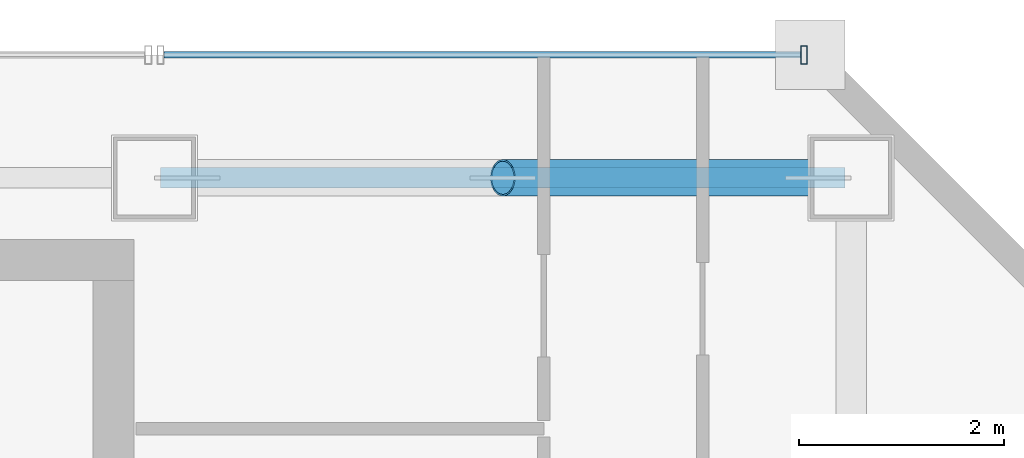
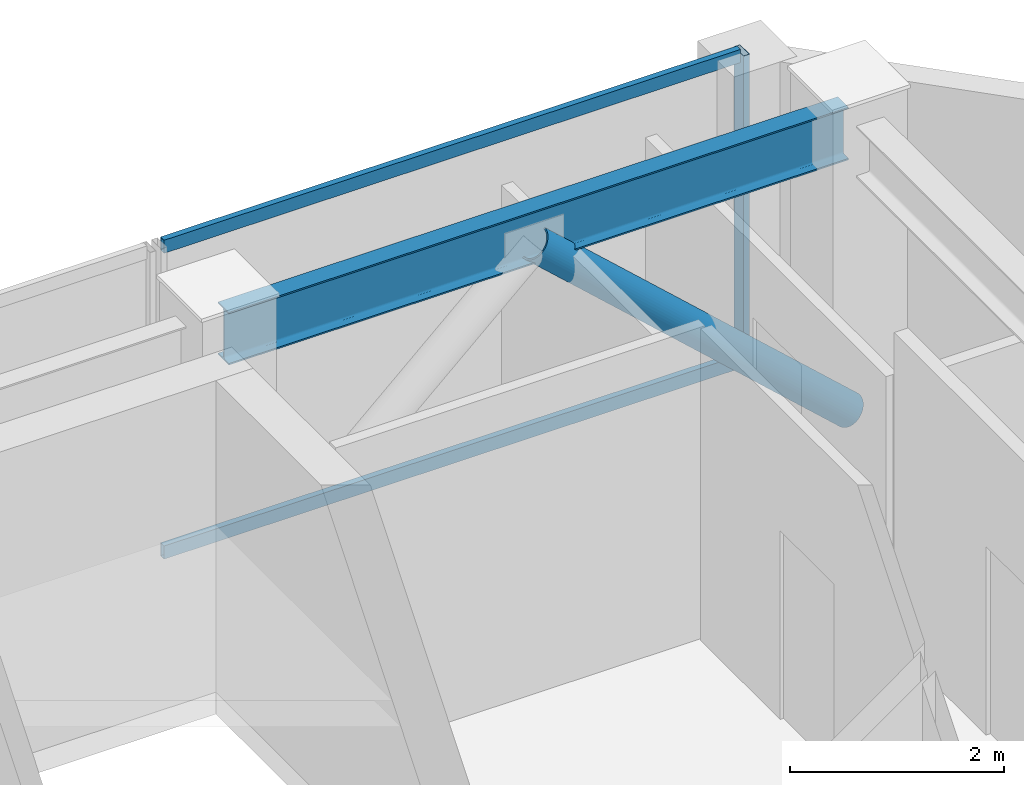
# One storey, part 24 of 32: 4 members, 1 beam, 1 element without a shape of its own.
"""IFC4 building model written with IfcOpenShell, lengths in metres."""

from ifc_helpers import new_model, si_unit, direction, frame, origin, origin_2d, place, context, subcontext, project, spatial, hollow_rectangle, hollow_circle, i_section, extrude, material, material_profile, profile_set, type_object, element, aggregate, save


model = new_model("IFC4")

# Units and contexts
model_context = context("Model", 3, precision=1e-05, world=origin(), true_north=direction((0.0, 1.0)))
body_context = subcontext(model_context, "Body", "Model", "MODEL_VIEW")
ifc_project = project(units=[si_unit("LENGTHUNIT", "METRE"), si_unit("AREAUNIT", "SQUARE_METRE"), si_unit("VOLUMEUNIT", "CUBIC_METRE"), si_unit("PLANEANGLEUNIT", "RADIAN"), si_unit("MASSUNIT", "GRAM", prefix="KILO")], contexts=[model_context])

# Site, building, storey
site_placement = place(None, origin())
site = spatial("IfcSite", under=ifc_project, at=site_placement, CompositionType="ELEMENT")
building_placement = place(site_placement, origin())
building = spatial("IfcBuilding", under=site, at=building_placement, Name="Saevonmaru Cultural Tower", CompositionType="ELEMENT")
storey_placement = place(building_placement, frame((0.0, 0.0, 257.199951171875)))
storey = spatial("IfcBuildingStorey", under=building, at=storey_placement, Name="L60", CompositionType="ELEMENT", Elevation=257.199951171875)

# Beam
ifc_material_1 = material(Name="Steel SM355", Category="steel")
ifc_material_profile_1 = material_profile(ifc_material_1, i_section(OverallWidth=0.199951171875, OverallDepth=0.60009765625, WebThickness=0.010986328125, FlangeThickness=0.01708984375, FilletRadius=0.02197265625, at=origin_2d()), Name="H-600x200x11x17")
ifc_profile_set_1 = profile_set([ifc_material_profile_1], Name="Steel SM355")
beam_type = type_object("IfcBeamType", Name="BM-SP-H600", PredefinedType="SPANDREL", material=ifc_profile_set_1)
beam_placement = place(storey_placement, frame((46.4599609375, 54.800048828125, 3.25), z_axis=(1.0, 0.0, 0.0), x_axis=(0.0, 1.0, 0.0)))
element("IfcBeam", 1, at=beam_placement, inside=storey, type_object=beam_type, Name="L60 North Spine Girder 5", PredefinedType="SPANDREL", context=body_context, shape_type="SweptSolid", body=[
    extrude(i_section(OverallWidth=0.199951171875, OverallDepth=0.60009765625, WebThickness=0.010986328125, FlangeThickness=0.01708984375, FilletRadius=0.02197265625, at=origin_2d()), origin(), (0.0, 0.0, 1.0), 6.679931640625),
])

# Member
ifc_material_profile_2 = material_profile(ifc_material_1, hollow_circle(Radius=0.177734375, WallThickness=0.01611328125, at=origin_2d()), Name="CHS-355.6x16")
ifc_profile_set_2 = profile_set([ifc_material_profile_2], Name="Steel SM355")
member_type_1 = type_object("IfcMemberType", Name="MB-PBR-CHS356", PredefinedType="BRACE", material=ifc_profile_set_2)
member_1_placement = place(storey_placement, frame((53.199951171875, 54.800048828125, 0.02001953125), z_axis=(-0.738935641579, 0.0, 0.673776014417), x_axis=(0.0, -1.0, 0.0)))
element("IfcMember", 2, at=member_1_placement, inside=storey, type_object=member_type_1, Name="L60 Perimeter Braced-Tube Diagonal EN2", PredefinedType="BRACE", context=body_context, shape_type="SweptSolid", body=[
    extrude(hollow_circle(Radius=0.177734375, WallThickness=0.01611328125, at=origin_2d()), origin(), (0.0, 0.0, 1.0), 4.60107421875),
])

# Curtain wall, members
ifc_material_2 = material(Name="Satin Bronze Anodised Aluminium", Category="aluminium")
curtain_wall_type = type_object("IfcCurtainWallType", Name="CW-TYP-B", PredefinedType="NOTDEFINED", material=ifc_material_2)
curtain_wall_placement = place(storey_placement, origin())
curtain_wall = element("IfcCurtainWall", 3, at=curtain_wall_placement, inside=storey, type_object=curtain_wall_type, Name="L60 East Braced Bay Spandrel Curtain Wall E10A", PredefinedType="NOTDEFINED")
ifc_material_profile_3 = material_profile(ifc_material_2, hollow_rectangle(XDim=0.06494140625, YDim=0.179931640625, WallThickness=0.00390625, at=origin_2d()), Name="ALU-MULL-180x65x4")
ifc_profile_set_3 = profile_set([ifc_material_profile_3], Name="Satin Bronze Anodised Aluminium")
member_type_2 = type_object("IfcMemberType", Name="ML-CW-180x65", PredefinedType="MULLION", material=ifc_profile_set_3)
member_2_placement = place(storey_placement, frame((52.739990234375, 56.0, 0.0), z_axis=(0.0, 0.0, 1.0), x_axis=(-1.0, 0.0, 0.0)))
member_2 = element("IfcMember", 4, at=member_2_placement, type_object=member_type_2, Name="CW-TW-L60-E10A mullion 1", PredefinedType="MULLION", context=body_context, shape_type="SweptSolid", body=[
    extrude(hollow_rectangle(XDim=0.06494140625, YDim=0.179931640625, WallThickness=0.00390625, at=origin_2d()), origin(), (0.0, 0.0, 1.0), 3.550048828125),
])
ifc_material_profile_4 = material_profile(ifc_material_2, hollow_rectangle(XDim=0.06494140625, YDim=0.14990234375, WallThickness=0.00390625, at=origin_2d()), Name="ALU-TRAN-150x65x4")
ifc_profile_set_4 = profile_set([ifc_material_profile_4], Name="Satin Bronze Anodised Aluminium")
member_type_3 = type_object("IfcMemberType", Name="TR-CW-150x65", PredefinedType="USERDEFINED", material=ifc_profile_set_4)
member_3_placement = place(storey_placement, frame((52.70751953125, 56.0, 0.032470703125), z_axis=(-1.0, 0.0, 0.0), x_axis=(0.0, -1.0, 0.0)))
member_3 = element("IfcMember", 5, at=member_3_placement, type_object=member_type_3, Name="CW-TW-L60-E10A transom 1.1", ObjectType="TRANSOM", PredefinedType="USERDEFINED", context=body_context, shape_type="SweptSolid", body=[
    extrude(hollow_rectangle(XDim=0.06494140625, YDim=0.14990234375, WallThickness=0.00390625, at=origin_2d()), origin(), (0.0, 0.0, 1.0), 6.215087890625),
])
member_4_placement = place(storey_placement, frame((52.70751953125, 56.0, 3.517578125), z_axis=(-1.0, 0.0, 0.0), x_axis=(0.0, -1.0, 0.0)))
member_4 = element("IfcMember", 6, at=member_4_placement, type_object=member_type_3, Name="CW-TW-L60-E10A transom 1.2", ObjectType="TRANSOM", PredefinedType="USERDEFINED", context=body_context, shape_type="SweptSolid", body=[
    extrude(hollow_rectangle(XDim=0.06494140625, YDim=0.14990234375, WallThickness=0.00390625, at=origin_2d()), origin(), (0.0, 0.0, 1.0), 6.215087890625),
])
aggregate(curtain_wall, [member_2, member_3, member_4])

save(model, "model.ifc")
